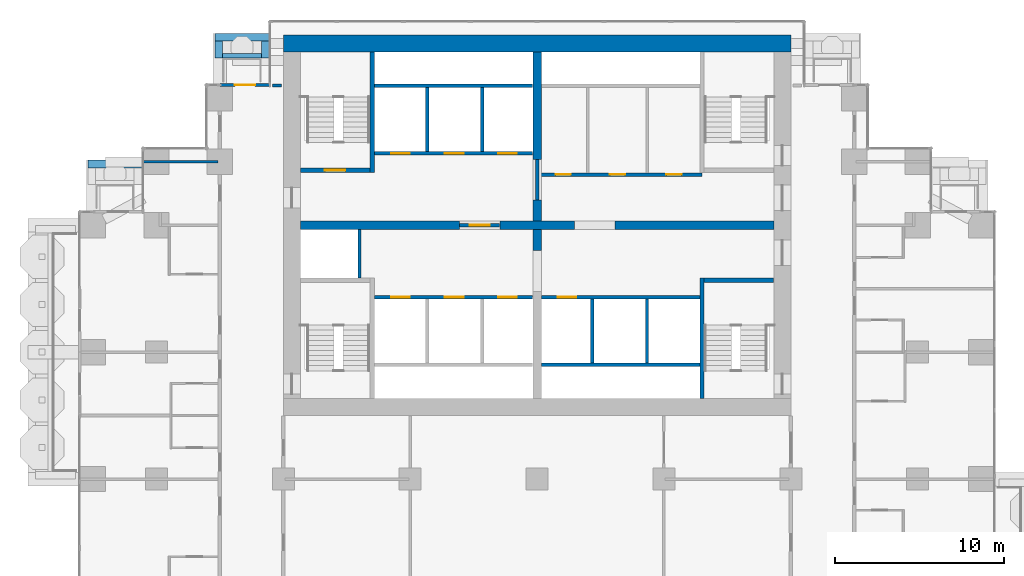
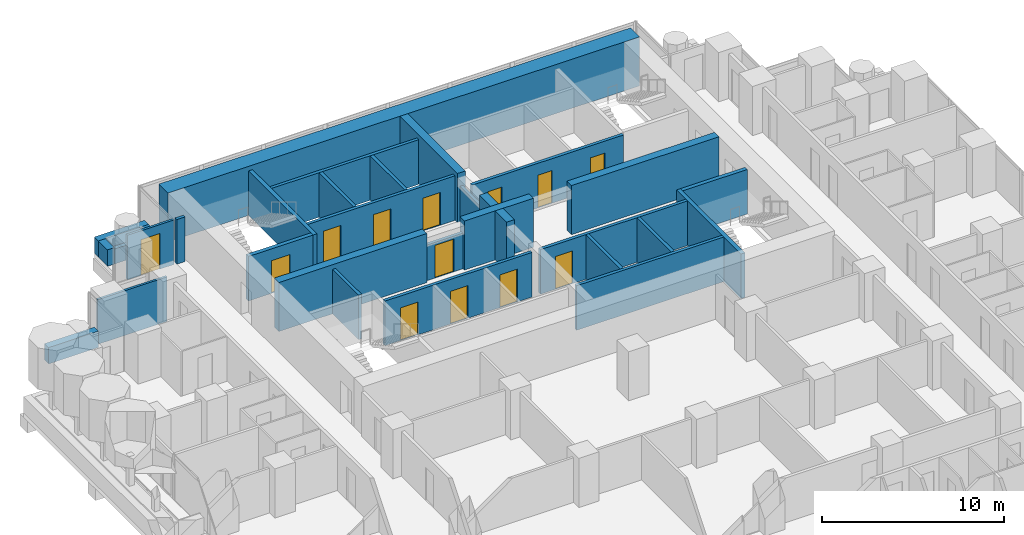
# One storey, part 14 of 19: 32 walls, 13 doors, 13 openings.
"""IFC4 building model written with IfcOpenShell, lengths in metres."""

import ifcopenshell
import ifcopenshell.guid

model = None  # the IFC model being written
_history = None  # IfcOwnerHistory: only IFC2X3 demands one
_inside = {}  # id of a spatial element -> (the spatial element, [elements in it])
_under = {}  # id of a project, library or spatial element -> (it, [spatial elements below it])
_declared = {}  # id of a project -> (the project, [libraries it declares])
_typed = {}  # id of a type object -> (the type object, [elements of that type])
_made_of = {}  # id of a material, layer set ... -> (it, [elements and type objects made of it])


def new_model(schema):
    """Start an empty IFC model of exactly this schema.

    Asked for "IFC4X3", IfcOpenShell would pick the latest addendum, in which some entities
    have other attributes; the version numbers below select the first issue.
    IFC2X3 requires an IfcOwnerHistory on every rooted entity: one is made here for all.
    """
    global model, _history
    if schema == "IFC4X3":
        model = ifcopenshell.file(schema_version=(4, 3, 0, 0))
    else:
        model = ifcopenshell.file(schema=schema)
    _inside.clear()
    _under.clear()
    _declared.clear()
    _typed.clear()
    _made_of.clear()
    _history = None
    if model.schema == "IFC2X3":
        org = make("IfcOrganization", Name="unknown")
        user = make(
            "IfcPersonAndOrganization",
            ThePerson=make("IfcPerson", FamilyName="unknown"),
            TheOrganization=org,
        )
        app = make(
            "IfcApplication",
            ApplicationDeveloper=org,
            Version="unknown",
            ApplicationFullName="unknown",
            ApplicationIdentifier="unknown",
        )
        _history = make(
            "IfcOwnerHistory",
            OwningUser=user,
            OwningApplication=app,
            ChangeAction="ADDED",
            CreationDate=0,
        )
    return model


def make(cls, **values):
    """One entity of the class cls with the attributes given. An attribute that is None is left unset."""
    return model.create_entity(
        cls, **{name: value for name, value in values.items() if value is not None}
    )


def rooted(cls, **values):
    """An entity with a GlobalId (a new one), such as an element, a storey or a relation."""
    return make(cls, GlobalId=ifcopenshell.guid.new(), OwnerHistory=_history, **values)


def si_unit(unit_type, name, prefix=None):
    """IfcSIUnit, for example si_unit("LENGTHUNIT", "METRE", prefix="MILLI")."""
    return make("IfcSIUnit", UnitType=unit_type, Prefix=prefix, Name=name)


def assignment(units):
    """IfcUnitAssignment: the units of a project."""
    return None if units is None else make("IfcUnitAssignment", Units=units)


def point(xyz):
    """IfcCartesianPoint."""
    return None if xyz is None else make("IfcCartesianPoint", Coordinates=xyz)


def direction(xyz):
    """IfcDirection."""
    return None if xyz is None else make("IfcDirection", DirectionRatios=xyz)


def frame(location, z_axis=None, x_axis=None):
    """IfcAxis2Placement3D, a coordinate frame: its origin and axes. An axis left out is left unset."""
    return make(
        "IfcAxis2Placement3D",
        Location=point(location),
        Axis=direction(z_axis),
        RefDirection=direction(x_axis),
    )


def frame_2d(location, x_axis=None):
    """IfcAxis2Placement2D, a coordinate frame in the plane: its origin and x axis."""
    return make(
        "IfcAxis2Placement2D", Location=point(location), RefDirection=direction(x_axis)
    )


def origin():
    """The frame at (0, 0, 0) with its axes left unset."""
    return frame((0.0, 0.0, 0.0))


def place(relative_to, where):
    """IfcLocalPlacement: puts the frame where relative to a parent placement (None: the world)."""
    return make(
        "IfcLocalPlacement", PlacementRelTo=relative_to, RelativePlacement=where
    )


def context(
    kind, dimensions, precision=None, world=None, true_north=None, identifier=None
):
    """IfcGeometricRepresentationContext, for example the 3D "Model" context."""
    return make(
        "IfcGeometricRepresentationContext",
        ContextIdentifier=identifier,
        ContextType=kind,
        CoordinateSpaceDimension=dimensions,
        Precision=precision,
        WorldCoordinateSystem=world,
        TrueNorth=true_north,
    )


def subcontext(parent, identifier, kind, view, scale=None):
    """IfcGeometricRepresentationSubContext, for example "Body" below "Model"."""
    return make(
        "IfcGeometricRepresentationSubContext",
        ContextIdentifier=identifier,
        ContextType=kind,
        ParentContext=parent,
        TargetScale=scale,
        TargetView=view,
    )


def project(units=None, contexts=None):
    """IfcProject with its units and contexts."""
    return rooted(
        "IfcProject",
        Name="project",
        RepresentationContexts=contexts,
        UnitsInContext=assignment(units),
    )


def spatial(cls, under=None, at=None, **own):
    """A site, building, storey or space (cls), placed at a placement, below another one or the project."""
    s = rooted(cls, ObjectPlacement=at, **own)
    if under is not None:
        _under.setdefault(under.id(), (under, []))[1].append(s)
    return s


def profile(cls, at=None, kind="AREA", **sizes):
    """A parametric profile (cls). Its sizes go by their IFC names, for example OverallWidth=200.0."""
    return make(cls, ProfileType=kind, Position=at, **sizes)


def rectangle(**sizes):
    """IfcRectangleProfileDef."""
    return profile("IfcRectangleProfileDef", **sizes)


def extrude(swept, where, along, depth):
    """IfcExtrudedAreaSolid: the profile swept, set in the frame where, extruded along a direction by depth."""
    return make(
        "IfcExtrudedAreaSolid",
        SweptArea=swept,
        Position=where,
        ExtrudedDirection=direction(along),
        Depth=depth,
    )


def shape(context_of_items, identifier, shape_type, items):
    """IfcShapeRepresentation: the items that make up one representation, for example the "Body"."""
    return make(
        "IfcShapeRepresentation",
        ContextOfItems=context_of_items,
        RepresentationIdentifier=identifier,
        RepresentationType=shape_type,
        Items=items,
    )


def material(Name=None, Category=None):
    """IfcMaterial."""
    return make("IfcMaterial", Name=Name, Category=Category)


def layer(
    of_material, thickness, ventilated=None, Name=None, Category=None, Priority=None
):
    """IfcMaterialLayer: one layer of a wall or slab, of a material (None: an air gap)."""
    return make(
        "IfcMaterialLayer",
        Material=of_material,
        LayerThickness=thickness,
        IsVentilated=ventilated,
        Name=Name,
        Category=Category,
        Priority=Priority,
    )


def layer_set(layers, Name=None):
    """IfcMaterialLayerSet."""
    return make("IfcMaterialLayerSet", MaterialLayers=layers, LayerSetName=Name)


def made_of(thing, what):
    """Note that an element or type object is made of a material, layer set ...; save() writes the relation."""
    if what is not None:
        _made_of.setdefault(what.id(), (what, []))[1].append(thing)
    return thing


def type_object(cls, material=None, **own):
    """A type object (cls), such as IfcWallType, which elements share."""
    return made_of(rooted(cls, **own), material)


def element(
    cls,
    number,
    at=None,
    inside=None,
    cuts=None,
    type_object=None,
    material=None,
    context=None,
    identifier="Body",
    shape_type=None,
    held_by="IfcProductDefinitionShape",
    body=None,
    shapes=None,
    **own,
):
    """One element of the class cls, such as IfcWall. Its Tag is "e" and its number.

    at: its placement. inside: the storey or other place that contains it. cuts: it is an
    opening in that element (IfcRelVoidsElement). A single representation is given by context,
    identifier, shape_type and body (its items); several are given by shapes. held_by: the class
    of the entity that holds the representations. save() writes the other relations.
    """
    e = rooted(cls, Tag="e%d" % number, ObjectPlacement=at, **own)
    if body is not None:
        shapes = [shape(context, identifier, shape_type, body)]
    if shapes is not None:
        e.Representation = make(held_by, Representations=shapes)
    if inside is not None:
        _inside.setdefault(inside.id(), (inside, []))[1].append(e)
    if cuts is not None:
        rooted(
            "IfcRelVoidsElement", RelatingBuildingElement=cuts, RelatedOpeningElement=e
        )
    if type_object is not None:
        _typed.setdefault(type_object.id(), (type_object, []))[1].append(e)
    return made_of(e, material)


def fill(opening, filler):
    """IfcRelFillsElement: the door or window that sits in an opening."""
    return rooted(
        "IfcRelFillsElement",
        RelatingOpeningElement=opening,
        RelatedBuildingElement=filler,
    )


def aggregate(whole, parts):
    """IfcRelAggregates: a whole, such as a stair, and the parts it consists of."""
    return rooted("IfcRelAggregates", RelatingObject=whole, RelatedObjects=parts)


def save(model, path):
    """Write the relations noted so far, then the file.

    IfcRelAggregates (storeys below a building ...), IfcRelContainedInSpatialStructure (elements
    in a storey), IfcRelDefinesByType, IfcRelAssociatesMaterial and IfcRelDeclares: one each for
    every whole, place, type object, material and project.
    """
    for whole, parts in _under.values():
        aggregate(whole, parts)
    for where, things in _inside.values():
        rooted(
            "IfcRelContainedInSpatialStructure",
            RelatedElements=things,
            RelatingStructure=where,
        )
    for kind, things in _typed.values():
        rooted("IfcRelDefinesByType", RelatedObjects=things, RelatingType=kind)
    for what, things in _made_of.values():
        rooted("IfcRelAssociatesMaterial", RelatedObjects=things, RelatingMaterial=what)
    for by, libraries in _declared.values():
        rooted("IfcRelDeclares", RelatingContext=by, RelatedDefinitions=libraries)
    model.write(path)


model = new_model("IFC4")

# Units and contexts
model_context = context("Model", 3, precision=1e-05, world=origin(), true_north=direction((0.0, 1.0)))
body_context = subcontext(model_context, "Body", "Model", "MODEL_VIEW")
ifc_project = project(units=[si_unit("LENGTHUNIT", "METRE"), si_unit("AREAUNIT", "SQUARE_METRE"), si_unit("VOLUMEUNIT", "CUBIC_METRE"), si_unit("PLANEANGLEUNIT", "RADIAN"), si_unit("MASSUNIT", "GRAM", prefix="KILO")], contexts=[model_context])

# Site, building, storey
site_placement = place(None, origin())
site = spatial("IfcSite", under=ifc_project, at=site_placement, CompositionType="ELEMENT")
building_placement = place(site_placement, origin())
building = spatial("IfcBuilding", under=site, at=building_placement, Name="Pilkhan Gate Tower", CompositionType="ELEMENT")
storey_placement = place(building_placement, frame((0.0, 0.0, 69.199951171875)))
storey = spatial("IfcBuildingStorey", under=building, at=storey_placement, Name="L15", CompositionType="ELEMENT", Elevation=69.199951171875)

# Walls
ifc_material_1 = material(Name="Concrete C40/50", Category="concrete")
ifc_layer_1 = layer(ifc_material_1, 0.25)
ifc_layer_set_1 = layer_set([ifc_layer_1], Name="Balcony planter BP250")
wall_type_1 = type_object("IfcWallType", Name="Balcony planter BP250", PredefinedType="USERDEFINED", material=ifc_layer_set_1)
wall_1_placement = place(storey_placement, frame((56.39990234375, 92.52490234375, 0.0), z_axis=(0.0, 0.0, 1.0), x_axis=(1.0, 0.0, 0.0)))
element("IfcWall", 1, at=wall_1_placement, inside=storey, type_object=wall_type_1, Name="Balcony planter L15 N", ObjectType="BALCONY PLANTER", PredefinedType="USERDEFINED", context=body_context, shape_type="SweptSolid", body=[
    extrude(rectangle(XDim=2.300048828125, YDim=0.25, at=frame_2d((1.14990234375, 0.0))), origin(), (0.0, 0.0, 1.0), 1.0),
])
ifc_material_2 = material(Name="Board-marked Concrete C40/50", Category="concrete")
ifc_layer_2 = layer(ifc_material_2, 0.449951171875)
ifc_layer_set_2 = layer_set([ifc_layer_2], Name="Balcony planter lip BL450")
wall_type_2 = type_object("IfcWallType", Name="Balcony planter lip BL450", PredefinedType="USERDEFINED", material=ifc_layer_set_2)
wall_2_placement = place(storey_placement, frame((55.949951171875, 93.625, 0.0), z_axis=(0.0, 0.0, 1.0), x_axis=(1.0, 0.0, 0.0)))
element("IfcWall", 2, at=wall_2_placement, inside=storey, type_object=wall_type_2, Name="Balcony planter L15 N", ObjectType="BALCONY PLANTER", PredefinedType="USERDEFINED", context=body_context, shape_type="SweptSolid", body=[
    extrude(rectangle(XDim=3.199951171875, YDim=0.449951171875, at=frame_2d((1.60009765625, 0.0))), origin(), (0.0, 0.0, 1.0), 1.10009765625),
])
for number, where, z_axis, x_axis, name in (
    (3, (56.175048828125, 92.39990234375, 0.0), (0.0, 0.0, 1.0), (0.0, 1.0, 0.0), "Balcony planter L15 N"),
    (4, (58.925048828125, 92.39990234375, 0.0), (0.0, 0.0, 1.0), (0.0, 1.0, 0.0), "Balcony planter L15 N"),
):
    element("IfcWall", number, at=place(storey_placement, frame(where, z_axis=z_axis, x_axis=x_axis)), inside=storey, type_object=wall_type_2, Name=name, ObjectType="BALCONY PLANTER", PredefinedType="USERDEFINED", context=body_context, shape_type="SweptSolid", body=[
        extrude(rectangle(XDim=1.0, YDim=0.449951171875, at=frame_2d((0.5, 0.0))), origin(), (0.0, 0.0, 1.0), 1.10009765625),
    ])
wall_3_placement = place(storey_placement, frame((48.449951171875, 86.125, 0.0), z_axis=(0.0, 0.0, 1.0), x_axis=(1.0, 0.0, 0.0)))
element("IfcWall", 5, at=wall_3_placement, inside=storey, type_object=wall_type_2, Name="Balcony planter L15 N", ObjectType="BALCONY PLANTER", PredefinedType="USERDEFINED", context=body_context, shape_type="SweptSolid", body=[
    extrude(rectangle(XDim=3.179931640625, YDim=0.449951171875, at=frame_2d((1.58984375, 0.0))), origin(), (0.0, 0.0, 1.0), 1.10009765625),
])
ifc_material_3 = material(Name="Concrete C70/85", Category="concrete")
ifc_layer_3 = layer(ifc_material_3, 1.0)
ifc_layer_set_3 = layer_set([ifc_layer_3], Name="Core wall CW1000 C70/85")
wall_type_3 = type_object("IfcWallType", Name="Core wall CW1000 C70/85", PredefinedType="SHEAR", material=ifc_layer_set_3)
wall_4_placement = place(storey_placement, frame((90.0, 93.25, 0.0), z_axis=(0.0, 0.0, 1.0), x_axis=(-1.0, 0.0, 0.0)))
element("IfcWall", 6, at=wall_4_placement, inside=storey, type_object=wall_type_3, Name="Core wall N L15", PredefinedType="SHEAR", context=body_context, shape_type="SweptSolid", body=[
    extrude(rectangle(XDim=30.0, YDim=1.0, at=frame_2d((15.0, 0.0))), origin(), (0.0, 0.0, 1.0), 3.300048828125),
])
ifc_material_4 = material(Name="Dense blockwork", Category="masonry")
ifc_layer_4 = layer(ifc_material_4, 0.199951171875)
ifc_layer_set_4 = layer_set([ifc_layer_4], Name="Corridor wall FW200")
wall_type_4 = type_object("IfcWallType", Name="Corridor wall FW200", PredefinedType="PARTITIONING", material=ifc_layer_set_4)
wall_5_placement = place(storey_placement, frame((59.35498046875, 90.764892578125, 0.0), z_axis=(0.0, 0.0, 1.0), x_axis=(1.0, 0.0, 0.0)))
element("IfcWall", 7, at=wall_5_placement, inside=storey, type_object=wall_type_4, Name="Partition L15", PredefinedType="PARTITIONING", context=body_context, shape_type="SweptSolid", body=[
    extrude(rectangle(XDim=0.52490234375, YDim=0.199951171875, at=frame_2d((0.262451171875, 0.0))), origin(), (0.0, 0.0, 1.0), 3.0),
])

# Wall, opening, door
ifc_material_5 = material(Name="Pale anodised aluminium, clear laminated glazing", Category="aluminium")
ifc_layer_5 = layer(ifc_material_5, 0.14990234375)
ifc_layer_set_5 = layer_set([ifc_layer_5], Name="Facade infill wall IW150")
wall_type_5 = type_object("IfcWallType", Name="Facade infill wall IW150", PredefinedType="SOLIDWALL", material=ifc_layer_set_5)
wall_6_placement = place(storey_placement, frame((56.25, 90.794921875, 0.0), z_axis=(0.0, 0.0, 1.0), x_axis=(1.0, 0.0, 0.0)))
wall_6 = element("IfcWall", 8, at=wall_6_placement, inside=storey, type_object=wall_type_5, Name="Infill wall L15 N", PredefinedType="SOLIDWALL", context=body_context, shape_type="SweptSolid", body=[
    extrude(rectangle(XDim=2.955078125, YDim=0.14990234375, at=frame_2d((1.4775390625, 0.0))), origin(), (0.0, 0.0, 1.0), 3.0),
])
opening_1_placement = place(wall_6_placement, frame((0.87744140625, 0.0, 0.0)))
opening_1 = element("IfcOpeningElement", 9, at=opening_1_placement, cuts=wall_6, Name="Opening D1", PredefinedType="OPENING", context=body_context, shape_type="SweptSolid", body=[
    extrude(rectangle(XDim=1.199951171875, YDim=2.39990234375, at=frame_2d((0.60009765625, 1.199951171875))), frame((0.0, 0.0849609375, 0.0), z_axis=(0.0, -1.0, 0.0), x_axis=(1.0, 0.0, 0.0)), (0.0, 0.0, 1.0), 0.169921875),
])
ifc_material_6 = material(Name="Pale anodised aluminium, clear glazing", Category="aluminium")
door_type_1 = type_object("IfcDoorType", Name="Balcony door D1 1200x2400", OperationType="SINGLE_SWING_LEFT", PredefinedType="DOOR", material=ifc_material_6)
door_1_placement = place(opening_1_placement, origin())
door_1 = element("IfcDoor", 10, at=door_1_placement, inside=storey, type_object=door_type_1, Name="Balcony door L15", OperationType="SINGLE_SWING_LEFT", OverallHeight=2.39990234375, OverallWidth=1.199951171875, PredefinedType="DOOR", context=body_context, shape_type="SweptSolid", body=[
    extrude(rectangle(XDim=1.199951171875, YDim=2.39990234375, at=frame_2d((0.60009765625, 1.199951171875))), frame((0.0, 0.02490234375, 0.0), z_axis=(0.0, -1.0, 0.0), x_axis=(1.0, 0.0, 0.0)), (0.0, 0.0, 1.0), 0.050048828125),
])
fill(opening_1, door_1)

ifc_layer_6 = layer(ifc_material_4, 0.199951171875)
ifc_layer_set_6 = layer_set([ifc_layer_6], Name="Lobby wall LW200")
wall_type_6 = type_object("IfcWallType", Name="Lobby wall LW200", PredefinedType="PARTITIONING", material=ifc_layer_set_6)
wall_7_placement = place(storey_placement, frame((70.409912109375, 82.5, 0.0), z_axis=(0.0, 0.0, 1.0), x_axis=(1.0, 0.0, 0.0)))
wall_7 = element("IfcWall", 11, at=wall_7_placement, inside=storey, type_object=wall_type_6, Name="Partition L15", PredefinedType="PARTITIONING", context=body_context, shape_type="SweptSolid", body=[
    extrude(rectangle(XDim=2.380126953125, YDim=0.199951171875, at=frame_2d((1.18994140625, 0.0))), origin(), (0.0, 0.0, 1.0), 2.400146484375),
])
opening_2_placement = place(wall_7_placement, frame((0.60009765625, 0.0, 0.0)))
opening_2 = element("IfcOpeningElement", 12, at=opening_2_placement, cuts=wall_7, Name="Opening L15-01", PredefinedType="OPENING", context=body_context, shape_type="SweptSolid", body=[
    extrude(rectangle(XDim=1.199951171875, YDim=2.199951171875, at=frame_2d((0.60009765625, 1.10009765625))), frame((0.0, 0.10986328125, 0.0), z_axis=(0.0, -1.0, 0.0), x_axis=(1.0, 0.0, 0.0)), (0.0, 0.0, 1.0), 0.219970703125),
])
ifc_material_7 = material(Name="Steel door, 120 minute fire resisting, self-closing", Category="steel")
door_type_2 = type_object("IfcDoorType", Name="Firefighting lobby door D10 1200x2200", OperationType="SINGLE_SWING_LEFT", PredefinedType="DOOR", material=ifc_material_7)
door_2_placement = place(opening_2_placement, origin())
door_2 = element("IfcDoor", 13, at=door_2_placement, inside=storey, type_object=door_type_2, Name="Firefighting lobby door", OperationType="SINGLE_SWING_RIGHT", OverallHeight=2.199951171875, OverallWidth=1.199951171875, PredefinedType="DOOR", context=body_context, shape_type="SweptSolid", body=[
    extrude(rectangle(XDim=1.199951171875, YDim=2.199951171875, at=frame_2d((0.60009765625, 1.10009765625))), frame((0.0, 0.02490234375, 0.0), z_axis=(0.0, -1.0, 0.0), x_axis=(1.0, 0.0, 0.0)), (0.0, 0.0, 1.0), 0.050048828125),
])
fill(opening_2, door_2)

# Wall, openings, doors
wall_8_placement = place(storey_placement, frame((75.10009765625, 85.5, 0.0), z_axis=(0.0, 0.0, 1.0), x_axis=(1.0, 0.0, 0.0)))
wall_8 = element("IfcWall", 14, at=wall_8_placement, inside=storey, type_object=wall_type_6, Name="Partition L15", PredefinedType="PARTITIONING", context=body_context, shape_type="SweptSolid", body=[
    extrude(rectangle(XDim=9.64990234375, YDim=0.199951171875, at=frame_2d((4.824951171875, 0.0))), origin(), (0.0, 0.0, 1.0), 3.0),
])
opening_3_placement = place(wall_8_placement, frame((1.0, 0.0, 0.0)))
opening_3 = element("IfcOpeningElement", 15, at=opening_3_placement, cuts=wall_8, Name="Opening L15-53", PredefinedType="OPENING", context=body_context, shape_type="SweptSolid", body=[
    extrude(rectangle(XDim=0.89990234375, YDim=2.199951171875, at=frame_2d((0.449951171875, 1.10009765625))), frame((0.0, 0.10986328125, 0.0), z_axis=(0.0, -1.0, 0.0), x_axis=(1.0, 0.0, 0.0)), (0.0, 0.0, 1.0), 0.219970703125),
])
opening_4_placement = place(wall_8_placement, frame((4.199951171875, 0.0, 0.0)))
opening_4 = element("IfcOpeningElement", 16, at=opening_4_placement, cuts=wall_8, Name="Opening L15-54", PredefinedType="OPENING", context=body_context, shape_type="SweptSolid", body=[
    extrude(rectangle(XDim=0.89990234375, YDim=2.199951171875, at=frame_2d((0.449951171875, 1.10009765625))), frame((0.0, 0.10986328125, 0.0), z_axis=(0.0, -1.0, 0.0), x_axis=(1.0, 0.0, 0.0)), (0.0, 0.0, 1.0), 0.219970703125),
])
opening_5_placement = place(wall_8_placement, frame((7.550048828125, 0.0, 0.0)))
opening_5 = element("IfcOpeningElement", 17, at=opening_5_placement, cuts=wall_8, Name="Opening L15-55", PredefinedType="OPENING", context=body_context, shape_type="SweptSolid", body=[
    extrude(rectangle(XDim=0.89990234375, YDim=2.199951171875, at=frame_2d((0.449951171875, 1.10009765625))), frame((0.0, 0.10986328125, 0.0), z_axis=(0.0, -1.0, 0.0), x_axis=(1.0, 0.0, 0.0)), (0.0, 0.0, 1.0), 0.219970703125),
])
ifc_material_8 = material(Name="Timber flush door, 60 minute fire resisting, self-closing", Category="wood")
door_type_3 = type_object("IfcDoorType", Name="Store door D05 900x2200", OperationType="SINGLE_SWING_LEFT", PredefinedType="DOOR", material=ifc_material_8)
door_3_placement = place(opening_4_placement, origin())
door_3 = element("IfcDoor", 18, at=door_3_placement, inside=storey, type_object=door_type_3, Name="Store door", OperationType="SINGLE_SWING_RIGHT", OverallHeight=2.199951171875, OverallWidth=0.89990234375, PredefinedType="DOOR", context=body_context, shape_type="SweptSolid", body=[
    extrude(rectangle(XDim=0.89990234375, YDim=2.199951171875, at=frame_2d((0.449951171875, 1.10009765625))), frame((0.0, 0.02490234375, 0.0), z_axis=(0.0, -1.0, 0.0), x_axis=(1.0, 0.0, 0.0)), (0.0, 0.0, 1.0), 0.050048828125),
])
fill(opening_4, door_3)
door_4_placement = place(opening_5_placement, origin())
door_4 = element("IfcDoor", 19, at=door_4_placement, inside=storey, type_object=door_type_3, Name="Store door", OperationType="SINGLE_SWING_RIGHT", OverallHeight=2.199951171875, OverallWidth=0.89990234375, PredefinedType="DOOR", context=body_context, shape_type="SweptSolid", body=[
    extrude(rectangle(XDim=0.89990234375, YDim=2.199951171875, at=frame_2d((0.449951171875, 1.10009765625))), frame((0.0, 0.02490234375, 0.0), z_axis=(0.0, -1.0, 0.0), x_axis=(1.0, 0.0, 0.0)), (0.0, 0.0, 1.0), 0.050048828125),
])
fill(opening_5, door_4)
ifc_material_9 = material(Name="Timber flush door, 30 minute fire resisting", Category="wood")
door_type_4 = type_object("IfcDoorType", Name="Toilet door D06 900x2200", OperationType="SINGLE_SWING_LEFT", PredefinedType="DOOR", material=ifc_material_9)
door_5_placement = place(opening_3_placement, origin())
door_5 = element("IfcDoor", 20, at=door_5_placement, inside=storey, type_object=door_type_4, Name="Toilet door", OperationType="SINGLE_SWING_LEFT", OverallHeight=2.199951171875, OverallWidth=0.89990234375, PredefinedType="DOOR", context=body_context, shape_type="SweptSolid", body=[
    extrude(rectangle(XDim=0.89990234375, YDim=2.199951171875, at=frame_2d((0.449951171875, 1.10009765625))), frame((0.0, 0.02490234375, 0.0), z_axis=(0.0, -1.0, 0.0), x_axis=(1.0, 0.0, 0.0)), (0.0, 0.0, 1.0), 0.050048828125),
])
fill(opening_3, door_5)

# Walls
wall_9_placement = place(storey_placement, frame((75.0, 84.010009765625, 0.0), z_axis=(0.0, 0.0, 1.0), x_axis=(0.0, 1.0, 0.0)))
element("IfcWall", 21, at=wall_9_placement, inside=storey, type_object=wall_type_6, Name="Partition L15", PredefinedType="PARTITIONING", context=body_context, shape_type="SweptSolid", body=[
    extrude(rectangle(XDim=2.3798828125, YDim=0.199951171875, at=frame_2d((1.18994140625, 0.0))), origin(), (0.0, 0.0, 1.0), 2.400146484375),
])
ifc_material_10 = material(Name="Blockwork partition, plastered both sides", Category="masonry")
ifc_layer_7 = layer(ifc_material_10, 0.14990234375)
ifc_layer_set_7 = layer_set([ifc_layer_7], Name="Partition PW150")
wall_type_7 = type_object("IfcWallType", Name="Partition PW150", PredefinedType="PARTITIONING", material=ifc_layer_set_7)
wall_10_placement = place(storey_placement, frame((51.735107421875, 86.25, 0.0), z_axis=(0.0, 0.0, 1.0), x_axis=(1.0, 0.0, 0.0)))
element("IfcWall", 22, at=wall_10_placement, inside=storey, type_object=wall_type_7, Name="Partition L15", PredefinedType="PARTITIONING", context=body_context, shape_type="SweptSolid", body=[
    extrude(rectangle(XDim=4.414794921875, YDim=0.14990234375, at=frame_2d((2.20751953125, 0.0))), origin(), (0.0, 0.0, 1.0), 3.0),
])
ifc_material_11 = material(Name="Reinforced blockwork shaft wall, 120 minute fire resisting", Category="masonry")
ifc_layer_8 = layer(ifc_material_11, 0.199951171875)
ifc_layer_set_8 = layer_set([ifc_layer_8], Name="Shaft wall SW200")
wall_type_8 = type_object("IfcWallType", Name="Shaft wall SW200", PredefinedType="PARTITIONING", material=ifc_layer_set_8)
wall_11_placement = place(storey_placement, frame((75.260009765625, 74.25, 0.0), z_axis=(0.0, 0.0, 1.0), x_axis=(1.0, 0.0, 0.0)))
element("IfcWall", 23, at=wall_11_placement, inside=storey, type_object=wall_type_8, Name="Partition L15", PredefinedType="PARTITIONING", context=body_context, shape_type="SweptSolid", body=[
    extrude(rectangle(XDim=9.364990234375, YDim=0.199951171875, at=frame_2d((4.6826171875, 0.0))), origin(), (0.0, 0.0, 1.0), 3.0),
])

# Wall, openings, doors
wall_12_placement = place(storey_placement, frame((65.375, 78.25, 0.0), z_axis=(0.0, 0.0, 1.0), x_axis=(1.0, 0.0, 0.0)))
wall_12 = element("IfcWall", 24, at=wall_12_placement, inside=storey, type_object=wall_type_8, Name="Partition L15", PredefinedType="PARTITIONING", context=body_context, shape_type="SweptSolid", body=[
    extrude(rectangle(XDim=9.364990234375, YDim=0.199951171875, at=frame_2d((4.6826171875, 0.0))), origin(), (0.0, 0.0, 1.0), 3.0),
])
opening_6_placement = place(wall_12_placement, frame((1.0, 0.0, 0.0)))
opening_6 = element("IfcOpeningElement", 25, at=opening_6_placement, cuts=wall_12, Name="Opening LD", PredefinedType="OPENING", context=body_context, shape_type="SweptSolid", body=[
    extrude(rectangle(XDim=1.10009765625, YDim=2.199951171875, at=frame_2d((0.550048828125, 1.10009765625))), frame((0.0, 0.10986328125, 0.0), z_axis=(0.0, -1.0, 0.0), x_axis=(1.0, 0.0, 0.0)), (0.0, 0.0, 1.0), 0.219970703125),
])
opening_7_placement = place(wall_12_placement, frame((4.175048828125, 0.0, 0.0)))
opening_7 = element("IfcOpeningElement", 26, at=opening_7_placement, cuts=wall_12, Name="Opening LD", PredefinedType="OPENING", context=body_context, shape_type="SweptSolid", body=[
    extrude(rectangle(XDim=1.10009765625, YDim=2.199951171875, at=frame_2d((0.550048828125, 1.10009765625))), frame((0.0, 0.10986328125, 0.0), z_axis=(0.0, -1.0, 0.0), x_axis=(1.0, 0.0, 0.0)), (0.0, 0.0, 1.0), 0.219970703125),
])
opening_8_placement = place(wall_12_placement, frame((7.324951171875, 0.0, 0.0)))
opening_8 = element("IfcOpeningElement", 27, at=opening_8_placement, cuts=wall_12, Name="Opening LD", PredefinedType="OPENING", context=body_context, shape_type="SweptSolid", body=[
    extrude(rectangle(XDim=1.10009765625, YDim=2.199951171875, at=frame_2d((0.550048828125, 1.10009765625))), frame((0.0, 0.10986328125, 0.0), z_axis=(0.0, -1.0, 0.0), x_axis=(1.0, 0.0, 0.0)), (0.0, 0.0, 1.0), 0.219970703125),
])
ifc_material_12 = material(Name="Stainless steel centre-opening landing door, 120 minute fire resisting", Category="steel")
door_type_5 = type_object("IfcDoorType", Name="Lift landing door LD 1100x2200", OperationType="DOUBLE_DOOR_SLIDING", PredefinedType="DOOR", material=ifc_material_12)
door_6_placement = place(opening_6_placement, origin())
door_6 = element("IfcDoor", 28, at=door_6_placement, inside=storey, type_object=door_type_5, Name="Landing door LR1", OperationType="DOUBLE_DOOR_SLIDING", OverallHeight=2.199951171875, OverallWidth=1.10009765625, PredefinedType="DOOR", context=body_context, shape_type="SweptSolid", body=[
    extrude(rectangle(XDim=1.10009765625, YDim=2.199951171875, at=frame_2d((0.550048828125, 1.10009765625))), frame((0.0, 0.02490234375, 0.0), z_axis=(0.0, -1.0, 0.0), x_axis=(1.0, 0.0, 0.0)), (0.0, 0.0, 1.0), 0.050048828125),
])
fill(opening_6, door_6)
door_7_placement = place(opening_7_placement, origin())
door_7 = element("IfcDoor", 29, at=door_7_placement, inside=storey, type_object=door_type_5, Name="Landing door LR2", OperationType="DOUBLE_DOOR_SLIDING", OverallHeight=2.199951171875, OverallWidth=1.10009765625, PredefinedType="DOOR", context=body_context, shape_type="SweptSolid", body=[
    extrude(rectangle(XDim=1.10009765625, YDim=2.199951171875, at=frame_2d((0.550048828125, 1.10009765625))), frame((0.0, 0.02490234375, 0.0), z_axis=(0.0, -1.0, 0.0), x_axis=(1.0, 0.0, 0.0)), (0.0, 0.0, 1.0), 0.050048828125),
])
fill(opening_7, door_7)
door_8_placement = place(opening_8_placement, origin())
door_8 = element("IfcDoor", 30, at=door_8_placement, inside=storey, type_object=door_type_5, Name="Landing door LR3", OperationType="DOUBLE_DOOR_SLIDING", OverallHeight=2.199951171875, OverallWidth=1.10009765625, PredefinedType="DOOR", context=body_context, shape_type="SweptSolid", body=[
    extrude(rectangle(XDim=1.10009765625, YDim=2.199951171875, at=frame_2d((0.550048828125, 1.10009765625))), frame((0.0, 0.02490234375, 0.0), z_axis=(0.0, -1.0, 0.0), x_axis=(1.0, 0.0, 0.0)), (0.0, 0.0, 1.0), 0.050048828125),
])
fill(opening_8, door_8)

# Wall, opening, door
wall_13_placement = place(storey_placement, frame((75.260009765625, 78.25, 0.0), z_axis=(0.0, 0.0, 1.0), x_axis=(1.0, 0.0, 0.0)))
wall_13 = element("IfcWall", 31, at=wall_13_placement, inside=storey, type_object=wall_type_8, Name="Partition L15", PredefinedType="PARTITIONING", context=body_context, shape_type="SweptSolid", body=[
    extrude(rectangle(XDim=9.364990234375, YDim=0.199951171875, at=frame_2d((4.6826171875, 0.0))), origin(), (0.0, 0.0, 1.0), 3.0),
])
opening_9_placement = place(wall_13_placement, frame((0.949951171875, 0.0, 0.0)))
opening_9 = element("IfcOpeningElement", 32, at=opening_9_placement, cuts=wall_13, Name="Opening LD", PredefinedType="OPENING", context=body_context, shape_type="SweptSolid", body=[
    extrude(rectangle(XDim=1.10009765625, YDim=2.199951171875, at=frame_2d((0.550048828125, 1.10009765625))), frame((0.0, 0.10986328125, 0.0), z_axis=(0.0, -1.0, 0.0), x_axis=(1.0, 0.0, 0.0)), (0.0, 0.0, 1.0), 0.219970703125),
])
door_9_placement = place(opening_9_placement, origin())
door_9 = element("IfcDoor", 33, at=door_9_placement, inside=storey, type_object=door_type_5, Name="Landing door LR4", OperationType="DOUBLE_DOOR_SLIDING", OverallHeight=2.199951171875, OverallWidth=1.10009765625, PredefinedType="DOOR", context=body_context, shape_type="SweptSolid", body=[
    extrude(rectangle(XDim=1.10009765625, YDim=2.199951171875, at=frame_2d((0.550048828125, 1.10009765625))), frame((0.0, 0.02490234375, 0.0), z_axis=(0.0, -1.0, 0.0), x_axis=(1.0, 0.0, 0.0)), (0.0, 0.0, 1.0), 0.050048828125),
])
fill(opening_9, door_9)

# Wall, openings, doors
wall_14_placement = place(storey_placement, frame((65.375, 86.75, 0.0), z_axis=(0.0, 0.0, 1.0), x_axis=(1.0, 0.0, 0.0)))
wall_14 = element("IfcWall", 34, at=wall_14_placement, inside=storey, type_object=wall_type_8, Name="Partition L15", PredefinedType="PARTITIONING", context=body_context, shape_type="SweptSolid", body=[
    extrude(rectangle(XDim=9.364990234375, YDim=0.199951171875, at=frame_2d((4.6826171875, 0.0))), origin(), (0.0, 0.0, 1.0), 3.0),
])
opening_10_placement = place(wall_14_placement, frame((1.0, 0.0, 0.0)))
opening_10 = element("IfcOpeningElement", 35, at=opening_10_placement, cuts=wall_14, Name="Opening LD", PredefinedType="OPENING", context=body_context, shape_type="SweptSolid", body=[
    extrude(rectangle(XDim=1.10009765625, YDim=2.199951171875, at=frame_2d((0.550048828125, 1.10009765625))), frame((0.0, 0.10986328125, 0.0), z_axis=(0.0, -1.0, 0.0), x_axis=(1.0, 0.0, 0.0)), (0.0, 0.0, 1.0), 0.219970703125),
])
opening_11_placement = place(wall_14_placement, frame((4.175048828125, 0.0, 0.0)))
opening_11 = element("IfcOpeningElement", 36, at=opening_11_placement, cuts=wall_14, Name="Opening LD", PredefinedType="OPENING", context=body_context, shape_type="SweptSolid", body=[
    extrude(rectangle(XDim=1.10009765625, YDim=2.199951171875, at=frame_2d((0.550048828125, 1.10009765625))), frame((0.0, 0.10986328125, 0.0), z_axis=(0.0, -1.0, 0.0), x_axis=(1.0, 0.0, 0.0)), (0.0, 0.0, 1.0), 0.219970703125),
])
opening_12_placement = place(wall_14_placement, frame((7.324951171875, 0.0, 0.0)))
opening_12 = element("IfcOpeningElement", 37, at=opening_12_placement, cuts=wall_14, Name="Opening LD", PredefinedType="OPENING", context=body_context, shape_type="SweptSolid", body=[
    extrude(rectangle(XDim=1.10009765625, YDim=2.199951171875, at=frame_2d((0.550048828125, 1.10009765625))), frame((0.0, 0.10986328125, 0.0), z_axis=(0.0, -1.0, 0.0), x_axis=(1.0, 0.0, 0.0)), (0.0, 0.0, 1.0), 0.219970703125),
])
door_10_placement = place(opening_10_placement, origin())
door_10 = element("IfcDoor", 38, at=door_10_placement, inside=storey, type_object=door_type_5, Name="Landing door FF1", OperationType="DOUBLE_DOOR_SLIDING", OverallHeight=2.199951171875, OverallWidth=1.10009765625, PredefinedType="DOOR", context=body_context, shape_type="SweptSolid", body=[
    extrude(rectangle(XDim=1.10009765625, YDim=2.199951171875, at=frame_2d((0.550048828125, 1.10009765625))), frame((0.0, 0.02490234375, 0.0), z_axis=(0.0, -1.0, 0.0), x_axis=(1.0, 0.0, 0.0)), (0.0, 0.0, 1.0), 0.050048828125),
])
fill(opening_10, door_10)
door_11_placement = place(opening_11_placement, origin())
door_11 = element("IfcDoor", 39, at=door_11_placement, inside=storey, type_object=door_type_5, Name="Landing door FF2", OperationType="DOUBLE_DOOR_SLIDING", OverallHeight=2.199951171875, OverallWidth=1.10009765625, PredefinedType="DOOR", context=body_context, shape_type="SweptSolid", body=[
    extrude(rectangle(XDim=1.10009765625, YDim=2.199951171875, at=frame_2d((0.550048828125, 1.10009765625))), frame((0.0, 0.02490234375, 0.0), z_axis=(0.0, -1.0, 0.0), x_axis=(1.0, 0.0, 0.0)), (0.0, 0.0, 1.0), 0.050048828125),
])
fill(opening_11, door_11)
door_12_placement = place(opening_12_placement, origin())
door_12 = element("IfcDoor", 40, at=door_12_placement, inside=storey, type_object=door_type_5, Name="Landing door SV1", OperationType="DOUBLE_DOOR_SLIDING", OverallHeight=2.199951171875, OverallWidth=1.10009765625, PredefinedType="DOOR", context=body_context, shape_type="SweptSolid", body=[
    extrude(rectangle(XDim=1.10009765625, YDim=2.199951171875, at=frame_2d((0.550048828125, 1.10009765625))), frame((0.0, 0.02490234375, 0.0), z_axis=(0.0, -1.0, 0.0), x_axis=(1.0, 0.0, 0.0)), (0.0, 0.0, 1.0), 0.050048828125),
])
fill(opening_12, door_12)

# Walls
wall_15_placement = place(storey_placement, frame((65.375, 90.75, 0.0), z_axis=(0.0, 0.0, 1.0), x_axis=(1.0, 0.0, 0.0)))
element("IfcWall", 41, at=wall_15_placement, inside=storey, type_object=wall_type_8, Name="Partition L15", PredefinedType="PARTITIONING", context=body_context, shape_type="SweptSolid", body=[
    extrude(rectangle(XDim=9.364990234375, YDim=0.199951171875, at=frame_2d((4.6826171875, 0.0))), origin(), (0.0, 0.0, 1.0), 3.0),
])
wall_16_placement = place(storey_placement, frame((64.5, 79.375, 0.0), z_axis=(0.0, 0.0, 1.0), x_axis=(0.0, 1.0, 0.0)))
element("IfcWall", 42, at=wall_16_placement, inside=storey, type_object=wall_type_8, Name="Partition L15", PredefinedType="PARTITIONING", context=body_context, shape_type="SweptSolid", body=[
    extrude(rectangle(XDim=2.864990234375, YDim=0.199951171875, at=frame_2d((1.4326171875, 0.0))), origin(), (0.0, 0.0, 1.0), 3.0),
])
for number, where, z_axis, x_axis, name in (
    (43, (68.5, 86.85009765625, 0.0), (0.0, 0.0, 1.0), (0.0, 1.0, 0.0), "Partition L15"),
    (44, (71.75, 86.85009765625, 0.0), (0.0, 0.0, 1.0), (0.0, 1.0, 0.0), "Partition L15"),
    (45, (78.25, 74.35009765625, 0.0), (0.0, 0.0, 1.0), (0.0, 1.0, 0.0), "Partition L15"),
    (46, (81.5, 74.35009765625, 0.0), (0.0, 0.0, 1.0), (0.0, 1.0, 0.0), "Partition L15"),
):
    element("IfcWall", number, at=place(storey_placement, frame(where, z_axis=z_axis, x_axis=x_axis)), inside=storey, type_object=wall_type_8, Name=name, PredefinedType="PARTITIONING", context=body_context, shape_type="SweptSolid", body=[
        extrude(rectangle(XDim=3.7998046875, YDim=0.199951171875, at=frame_2d((1.89990234375, 0.0))), origin(), (0.0, 0.0, 1.0), 3.0),
    ])
ifc_layer_9 = layer(ifc_material_3, 0.5)
ifc_layer_set_9 = layer_set([ifc_layer_9], Name="Spine wall SW500 C70/85")
wall_type_9 = type_object("IfcWallType", Name="Spine wall SW500 C70/85", PredefinedType="SHEAR", material=ifc_layer_set_9)
wall_17_placement = place(storey_placement, frame((61.0, 82.5, 0.0), z_axis=(0.0, 0.0, 1.0), x_axis=(1.0, 0.0, 0.0)))
element("IfcWall", 47, at=wall_17_placement, inside=storey, type_object=wall_type_9, Name="Spine wall SP-EW1 L15", PredefinedType="SHEAR", context=body_context, shape_type="SweptSolid", body=[
    extrude(rectangle(XDim=9.39990234375, YDim=0.5, at=frame_2d((4.699951171875, 0.0))), origin(), (0.0, 0.0, 1.0), 3.300048828125),
])
wall_18_placement = place(storey_placement, frame((72.800048828125, 82.5, 0.0), z_axis=(0.0, 0.0, 1.0), x_axis=(1.0, 0.0, 0.0)))
element("IfcWall", 48, at=wall_18_placement, inside=storey, type_object=wall_type_9, Name="Spine wall SP-EW2 L15", PredefinedType="SHEAR", context=body_context, shape_type="SweptSolid", body=[
    extrude(rectangle(XDim=4.39990234375, YDim=0.5, at=frame_2d((2.199951171875, 0.0))), origin(), (0.0, 0.0, 1.0), 3.300048828125),
])
wall_19_placement = place(storey_placement, frame((79.60009765625, 82.5, 0.0), z_axis=(0.0, 0.0, 1.0), x_axis=(1.0, 0.0, 0.0)))
element("IfcWall", 49, at=wall_19_placement, inside=storey, type_object=wall_type_9, Name="Spine wall SP-EW3 L15", PredefinedType="SHEAR", context=body_context, shape_type="SweptSolid", body=[
    extrude(rectangle(XDim=9.39990234375, YDim=0.5, at=frame_2d((4.699951171875, 0.0))), origin(), (0.0, 0.0, 1.0), 3.300048828125),
])
for number, where, z_axis, x_axis, name in (
    (50, (75.0, 81.0, 0.0), (0.0, 0.0, 1.0), (0.0, 1.0, 0.0), "Spine wall SP-NS-S2 L15"),
    (51, (75.0, 82.75, 0.0), (0.0, 0.0, 1.0), (0.0, 1.0, 0.0), "Spine wall SP-NS-N1 L15"),
):
    element("IfcWall", number, at=place(storey_placement, frame(where, z_axis=z_axis, x_axis=x_axis)), inside=storey, type_object=wall_type_9, Name=name, PredefinedType="SHEAR", context=body_context, shape_type="SweptSolid", body=[
        extrude(rectangle(XDim=1.25, YDim=0.5, at=frame_2d((0.625, 0.0))), origin(), (0.0, 0.0, 1.0), 3.300048828125),
    ])
wall_20_placement = place(storey_placement, frame((75.0, 86.39990234375, 0.0), z_axis=(0.0, 0.0, 1.0), x_axis=(0.0, 1.0, 0.0)))
element("IfcWall", 52, at=wall_20_placement, inside=storey, type_object=wall_type_9, Name="Spine wall SP-NS-N2 L15", PredefinedType="SHEAR", context=body_context, shape_type="SweptSolid", body=[
    extrude(rectangle(XDim=6.35009765625, YDim=0.5, at=frame_2d((3.175048828125, 0.0))), origin(), (0.0, 0.0, 1.0), 3.300048828125),
])
ifc_material_13 = material(Name="Reinforced blockwork, 120 minute fire resisting", Category="masonry")
ifc_layer_10 = layer(ifc_material_13, 0.25)
ifc_layer_set_10 = layer_set([ifc_layer_10], Name="Stair enclosure wall SE250")
wall_type_10 = type_object("IfcWallType", Name="Stair enclosure wall SE250", PredefinedType="PARTITIONING", material=ifc_layer_set_10)
wall_21_placement = place(storey_placement, frame((84.875, 79.25, 0.0), z_axis=(0.0, 0.0, 1.0), x_axis=(1.0, 0.0, 0.0)))
element("IfcWall", 53, at=wall_21_placement, inside=storey, type_object=wall_type_10, Name="Partition L15", PredefinedType="PARTITIONING", context=body_context, shape_type="SweptSolid", body=[
    extrude(rectangle(XDim=4.114990234375, YDim=0.25, at=frame_2d((2.0576171875, 0.0))), origin(), (0.0, 0.0, 1.0), 3.0),
])

# Wall, opening, door
wall_22_placement = place(storey_placement, frame((61.010009765625, 85.75, 0.0), z_axis=(0.0, 0.0, 1.0), x_axis=(1.0, 0.0, 0.0)))
wall_22 = element("IfcWall", 54, at=wall_22_placement, inside=storey, type_object=wall_type_10, Name="Partition L15", PredefinedType="PARTITIONING", context=body_context, shape_type="SweptSolid", body=[
    extrude(rectangle(XDim=4.114990234375, YDim=0.25, at=frame_2d((2.0576171875, 0.0))), origin(), (0.0, 0.0, 1.0), 3.0),
])
opening_13_placement = place(wall_22_placement, frame((1.449951171875, 0.0, 0.0)))
opening_13 = element("IfcOpeningElement", 55, at=opening_13_placement, cuts=wall_22, Name="Opening L15-02", PredefinedType="OPENING", context=body_context, shape_type="SweptSolid", body=[
    extrude(rectangle(XDim=1.199951171875, YDim=2.199951171875, at=frame_2d((0.60009765625, 1.10009765625))), frame((0.0, 0.135009765625, 0.0), z_axis=(0.0, -1.0, 0.0), x_axis=(1.0, 0.0, 0.0)), (0.0, 0.0, 1.0), 0.27001953125),
])
ifc_material_14 = material(Name="Steel door, 120 minute fire resisting, panic bar", Category="steel")
door_type_6 = type_object("IfcDoorType", Name="Stair door D11 1200x2200", OperationType="SINGLE_SWING_LEFT", PredefinedType="DOOR", material=ifc_material_14)
door_13_placement = place(opening_13_placement, origin())
door_13 = element("IfcDoor", 56, at=door_13_placement, inside=storey, type_object=door_type_6, Name="Stair ST3 lobby door", OperationType="SINGLE_SWING_LEFT", OverallHeight=2.199951171875, OverallWidth=1.199951171875, PredefinedType="DOOR", context=body_context, shape_type="SweptSolid", body=[
    extrude(rectangle(XDim=1.199951171875, YDim=2.199951171875, at=frame_2d((0.60009765625, 1.10009765625))), frame((0.0, 0.02490234375, 0.0), z_axis=(0.0, -1.0, 0.0), x_axis=(1.0, 0.0, 0.0)), (0.0, 0.0, 1.0), 0.050048828125),
])
fill(opening_13, door_13)

# Walls
for number, where, z_axis, x_axis, name in (
    (57, (65.25, 85.625, 0.0), (0.0, 0.0, 1.0), (0.0, 1.0, 0.0), "Partition L15"),
    (58, (84.75, 72.260009765625, 0.0), (0.0, 0.0, 1.0), (0.0, 1.0, 0.0), "Partition L15"),
):
    element("IfcWall", number, at=place(storey_placement, frame(where, z_axis=z_axis, x_axis=x_axis)), inside=storey, type_object=wall_type_10, Name=name, PredefinedType="PARTITIONING", context=body_context, shape_type="SweptSolid", body=[
        extrude(rectangle(XDim=7.114990234375, YDim=0.25, at=frame_2d((3.5576171875, 0.0))), origin(), (0.0, 0.0, 1.0), 3.0),
    ])

save(model, "model.ifc")
